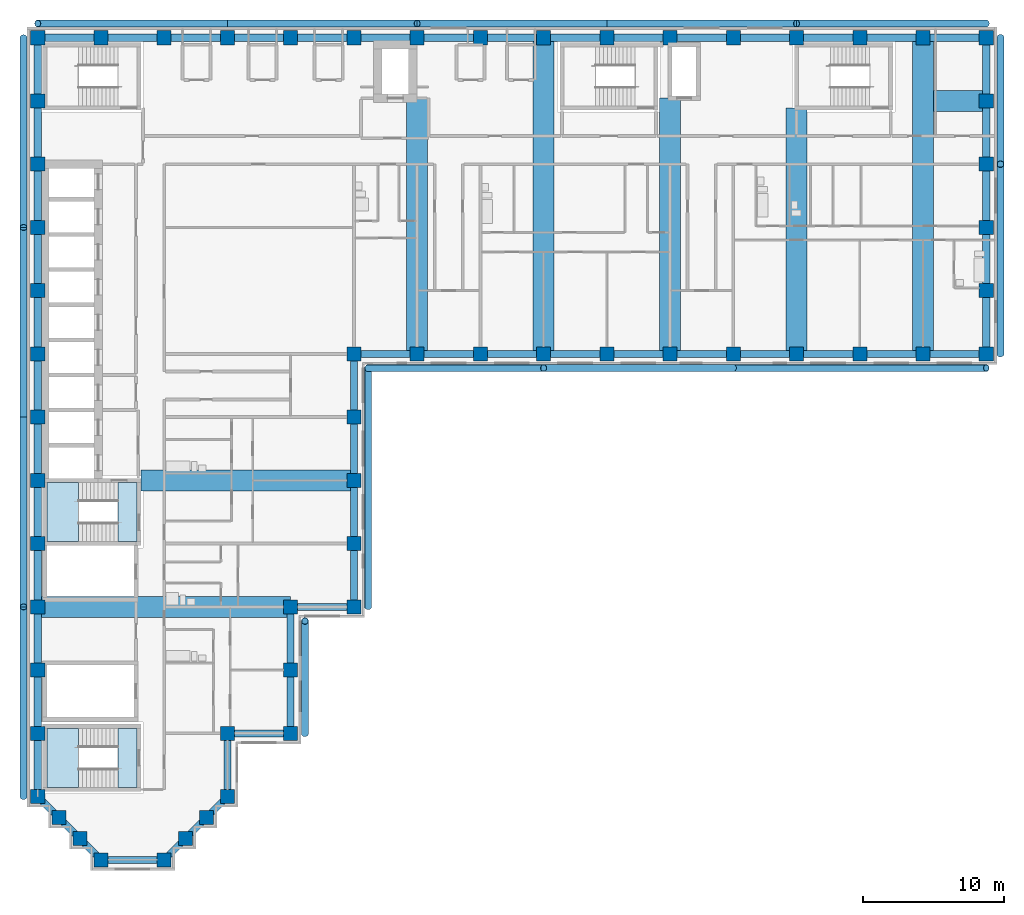
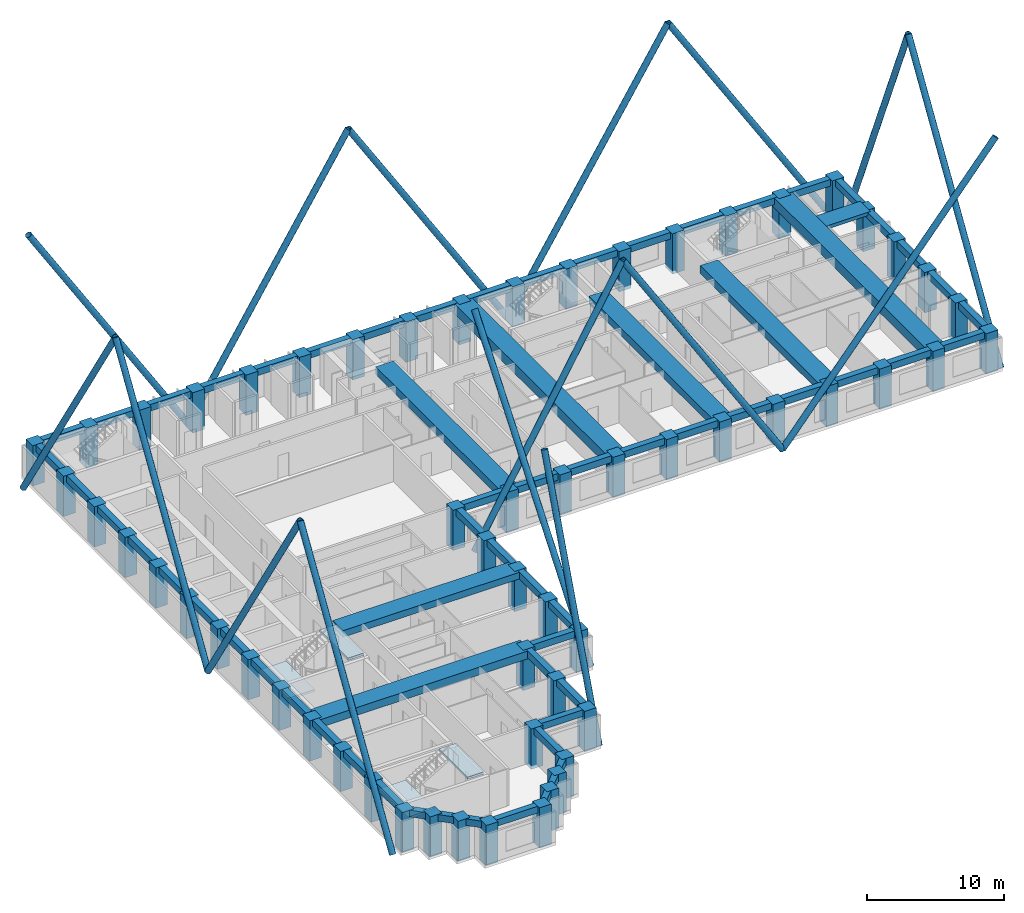
# One storey, part 1 of 13: 66 beams, 58 columns, 16 members, 4 slabs, 2 elements without a shape of their own.
"""IFC4 building model written with IfcOpenShell, lengths in metres."""

from ifc_helpers import new_model, si_unit, direction, frame, origin, origin_2d, place, context, subcontext, project, spatial, polyline, rectangle, hollow_circle, outline, extrude, material, layer, layer_set, material_profile, profile_set, type_object, element, aggregate, save


model = new_model("IFC4")

# Units and contexts
model_context = context("Model", 3, precision=1e-05, world=origin(), true_north=direction((0.0, 1.0)))
body_context = subcontext(model_context, "Body", "Model", "MODEL_VIEW")
ifc_project = project(units=[si_unit("LENGTHUNIT", "METRE"), si_unit("AREAUNIT", "SQUARE_METRE"), si_unit("VOLUMEUNIT", "CUBIC_METRE"), si_unit("PLANEANGLEUNIT", "RADIAN"), si_unit("MASSUNIT", "GRAM", prefix="KILO")], contexts=[model_context])

# Site, building, storey
site_placement = place(None, origin())
site = spatial("IfcSite", under=ifc_project, at=site_placement, CompositionType="ELEMENT")
building_placement = place(site_placement, origin())
building = spatial("IfcBuilding", under=site, at=building_placement, Name="Firuza Court", CompositionType="ELEMENT")
storey_placement = place(building_placement, frame((0.0, 0.0, 141.199951171875)))
storey = spatial("IfcBuildingStorey", under=building, at=storey_placement, Name="L35", CompositionType="ELEMENT", Elevation=141.199951171875)

# Columns
ifc_material_1 = material(Name="Concrete C60/75", Category="concrete")
ifc_material_profile_1 = material_profile(ifc_material_1, rectangle(XDim=1.0, YDim=1.0, at=origin_2d()), Name="RC 1000x1000")
ifc_profile_set_1 = profile_set([ifc_material_profile_1], Name="Concrete C60/75")
column_type = type_object("IfcColumnType", Name="Tube column RC 1000x1000 C60/75", PredefinedType="COLUMN", material=ifc_profile_set_1)
for number, where, z_axis, x_axis, name in (
    (1, (4.5, 0.0, -0.300048828125), (0.0, 0.0, 1.0), (1.0, 0.0, 0.0), "Column C-2D L35"),
    (2, (9.0, 0.0, -0.300048828125), (0.0, 0.0, 1.0), (1.0, 0.0, 0.0), "Column C-3D L35"),
    (3, (3.0, 1.5, -0.300048828125), (0.0, 0.0, 1.0), (1.0, 0.0, 0.0), "Column C-SA1 L35"),
    (4, (10.5, 1.5, -0.300048828125), (0.0, 0.0, 1.0), (1.0, 0.0, 0.0), "Column C-SA2 L35"),
    (5, (1.5, 3.0, -0.300048828125), (0.0, 0.0, 1.0), (1.0, 0.0, 0.0), "Column C-SA3 L35"),
    (6, (12.0, 3.0, -0.300048828125), (0.0, 0.0, 1.0), (1.0, 0.0, 0.0), "Column C-SA4 L35"),
    (7, (0.0, 4.5, -0.300048828125), (0.0, 0.0, 1.0), (1.0, 0.0, 0.0), "Column C-1E L35"),
    (8, (13.5, 4.5, -0.300048828125), (0.0, 0.0, 1.0), (1.0, 0.0, 0.0), "Column C-4E L35"),
    (9, (0.0, 9.0, -0.300048828125), (0.0, 0.0, 1.0), (1.0, 0.0, 0.0), "Column C-1F L35"),
    (10, (13.5, 9.0, -0.300048828125), (0.0, 0.0, 1.0), (1.0, 0.0, 0.0), "Column C-4F L35"),
    (11, (18.0, 9.0, -0.300048828125), (0.0, 0.0, 1.0), (1.0, 0.0, 0.0), "Column C-5F L35"),
    (12, (0.0, 13.5, -0.300048828125), (0.0, 0.0, 1.0), (1.0, 0.0, 0.0), "Column C-1G L35"),
    (13, (18.0, 13.5, -0.300048828125), (0.0, 0.0, 1.0), (1.0, 0.0, 0.0), "Column C-5G L35"),
    (14, (0.0, 18.0, -0.300048828125), (0.0, 0.0, 1.0), (1.0, 0.0, 0.0), "Column C-1H L35"),
    (15, (18.0, 18.0, -0.300048828125), (0.0, 0.0, 1.0), (1.0, 0.0, 0.0), "Column C-5H L35"),
    (16, (22.5, 18.0, -0.300048828125), (0.0, 0.0, 1.0), (1.0, 0.0, 0.0), "Column C-6H L35"),
    (17, (0.0, 22.5, -0.300048828125), (0.0, 0.0, 1.0), (1.0, 0.0, 0.0), "Column C-1J L35"),
    (18, (22.5, 22.5, -0.300048828125), (0.0, 0.0, 1.0), (1.0, 0.0, 0.0), "Column C-6J L35"),
    (19, (0.0, 27.0, -0.300048828125), (0.0, 0.0, 1.0), (1.0, 0.0, 0.0), "Column C-1K L35"),
    (20, (22.5, 27.0, -0.300048828125), (0.0, 0.0, 1.0), (1.0, 0.0, 0.0), "Column C-6K L35"),
    (21, (0.0, 31.5, -0.300048828125), (0.0, 0.0, 1.0), (1.0, 0.0, 0.0), "Column C-1L L35"),
    (22, (22.5, 31.5, -0.300048828125), (0.0, 0.0, 1.0), (1.0, 0.0, 0.0), "Column C-6L L35"),
    (23, (0.0, 36.0, -0.300048828125), (0.0, 0.0, 1.0), (1.0, 0.0, 0.0), "Column C-1M L35"),
    (24, (22.5, 36.0, -0.300048828125), (0.0, 0.0, 1.0), (1.0, 0.0, 0.0), "Column C-6M L35"),
    (25, (27.0, 36.0, -0.300048828125), (0.0, 0.0, 1.0), (1.0, 0.0, 0.0), "Column C-7M L35"),
    (26, (31.5, 36.0, -0.300048828125), (0.0, 0.0, 1.0), (1.0, 0.0, 0.0), "Column C-8M L35"),
    (27, (36.0, 36.0, -0.300048828125), (0.0, 0.0, 1.0), (1.0, 0.0, 0.0), "Column C-9M L35"),
    (28, (40.5, 36.0, -0.300048828125), (0.0, 0.0, 1.0), (1.0, 0.0, 0.0), "Column C-10M L35"),
    (29, (45.0, 36.0, -0.300048828125), (0.0, 0.0, 1.0), (1.0, 0.0, 0.0), "Column C-11M L35"),
    (30, (49.5, 36.0, -0.300048828125), (0.0, 0.0, 1.0), (1.0, 0.0, 0.0), "Column C-12M L35"),
    (31, (54.0, 36.0, -0.300048828125), (0.0, 0.0, 1.0), (1.0, 0.0, 0.0), "Column C-13M L35"),
    (32, (58.5, 36.0, -0.300048828125), (0.0, 0.0, 1.0), (1.0, 0.0, 0.0), "Column C-14M L35"),
    (33, (63.0, 36.0, -0.300048828125), (0.0, 0.0, 1.0), (1.0, 0.0, 0.0), "Column C-15M L35"),
    (34, (67.5, 36.0, -0.300048828125), (0.0, 0.0, 1.0), (1.0, 0.0, 0.0), "Column C-16M L35"),
    (35, (0.0, 40.5, -0.300048828125), (0.0, 0.0, 1.0), (1.0, 0.0, 0.0), "Column C-1N L35"),
    (36, (67.5, 40.5, -0.300048828125), (0.0, 0.0, 1.0), (1.0, 0.0, 0.0), "Column C-16N L35"),
    (37, (0.0, 45.0, -0.300048828125), (0.0, 0.0, 1.0), (1.0, 0.0, 0.0), "Column C-1P L35"),
    (38, (67.5, 45.0, -0.300048828125), (0.0, 0.0, 1.0), (1.0, 0.0, 0.0), "Column C-16P L35"),
    (39, (0.0, 49.5, -0.300048828125), (0.0, 0.0, 1.0), (1.0, 0.0, 0.0), "Column C-1Q L35"),
    (40, (67.5, 49.5, -0.300048828125), (0.0, 0.0, 1.0), (1.0, 0.0, 0.0), "Column C-16Q L35"),
    (41, (0.0, 54.0, -0.300048828125), (0.0, 0.0, 1.0), (1.0, 0.0, 0.0), "Column C-1R L35"),
    (42, (67.5, 54.0, -0.300048828125), (0.0, 0.0, 1.0), (1.0, 0.0, 0.0), "Column C-16R L35"),
    (43, (0.0, 58.5, -0.300048828125), (0.0, 0.0, 1.0), (1.0, 0.0, 0.0), "Column C-1S L35"),
    (44, (4.5, 58.5, -0.300048828125), (0.0, 0.0, 1.0), (1.0, 0.0, 0.0), "Column C-2S L35"),
    (45, (9.0, 58.5, -0.300048828125), (0.0, 0.0, 1.0), (1.0, 0.0, 0.0), "Column C-3S L35"),
    (46, (13.5, 58.5, -0.300048828125), (0.0, 0.0, 1.0), (1.0, 0.0, 0.0), "Column C-4S L35"),
    (47, (18.0, 58.5, -0.300048828125), (0.0, 0.0, 1.0), (1.0, 0.0, 0.0), "Column C-5S L35"),
    (48, (22.5, 58.5, -0.300048828125), (0.0, 0.0, 1.0), (1.0, 0.0, 0.0), "Column C-6S L35"),
    (49, (27.0, 58.5, -0.300048828125), (0.0, 0.0, 1.0), (1.0, 0.0, 0.0), "Column C-7S L35"),
    (50, (31.5, 58.5, -0.300048828125), (0.0, 0.0, 1.0), (1.0, 0.0, 0.0), "Column C-8S L35"),
    (51, (36.0, 58.5, -0.300048828125), (0.0, 0.0, 1.0), (1.0, 0.0, 0.0), "Column C-9S L35"),
    (52, (40.5, 58.5, -0.300048828125), (0.0, 0.0, 1.0), (1.0, 0.0, 0.0), "Column C-10S L35"),
    (53, (45.0, 58.5, -0.300048828125), (0.0, 0.0, 1.0), (1.0, 0.0, 0.0), "Column C-11S L35"),
    (54, (49.5, 58.5, -0.300048828125), (0.0, 0.0, 1.0), (1.0, 0.0, 0.0), "Column C-12S L35"),
    (55, (54.0, 58.5, -0.300048828125), (0.0, 0.0, 1.0), (1.0, 0.0, 0.0), "Column C-13S L35"),
    (56, (58.5, 58.5, -0.300048828125), (0.0, 0.0, 1.0), (1.0, 0.0, 0.0), "Column C-14S L35"),
    (57, (63.0, 58.5, -0.300048828125), (0.0, 0.0, 1.0), (1.0, 0.0, 0.0), "Column C-15S L35"),
    (58, (67.5, 58.5, -0.300048828125), (0.0, 0.0, 1.0), (1.0, 0.0, 0.0), "Column C-16S L35"),
):
    element("IfcColumn", number, at=place(storey_placement, frame(where, z_axis=z_axis, x_axis=x_axis)), inside=storey, type_object=column_type, Name=name, PredefinedType="COLUMN", context=body_context, shape_type="SweptSolid", body=[
        extrude(rectangle(XDim=1.0, YDim=1.0, at=origin_2d()), origin(), (0.0, 0.0, 1.0), 3.60009765625),
    ])

# Beams
ifc_material_2 = material(Name="Concrete C40/50", Category="concrete")
ifc_material_profile_2 = material_profile(ifc_material_2, rectangle(XDim=1.5, YDim=0.300048828125, at=origin_2d()), Name="RC 1500x300")
ifc_profile_set_2 = profile_set([ifc_material_profile_2], Name="Concrete C40/50")
beam_type_1 = type_object("IfcBeamType", Name="Band beam RC 1500x300 C40/50", PredefinedType="BEAM", material=ifc_profile_set_2)
beam_1_placement = place(storey_placement, frame((67.5, 54.0, 3.150146484375), z_axis=(-1.0, 0.0, 0.0), x_axis=(0.0, -1.0, 0.0)))
element("IfcBeam", 59, at=beam_1_placement, inside=storey, type_object=beam_type_1, Name="Band beam FB6 level L36", PredefinedType="BEAM", context=body_context, shape_type="SweptSolid", body=[
    extrude(rectangle(XDim=1.5, YDim=0.300048828125, at=origin_2d()), origin(), (0.0, 0.0, 1.0), 3.75),
])
ifc_material_3 = material(Name="Concrete C40/50", Category="concrete")
ifc_material_profile_3 = material_profile(ifc_material_3, rectangle(XDim=1.5, YDim=0.60009765625, at=origin_2d()), Name="RC 1500x600")
ifc_profile_set_3 = profile_set([ifc_material_profile_3], Name="Concrete C40/50")
beam_type_2 = type_object("IfcBeamType", Name="Band beam RC 1500x600 C40/50", PredefinedType="BEAM", material=ifc_profile_set_3)
beam_2_placement = place(storey_placement, frame((22.5, 27.0, 3.0), z_axis=(-1.0, 0.0, 0.0), x_axis=(0.0, -1.0, 0.0)))
element("IfcBeam", 60, at=beam_2_placement, inside=storey, type_object=beam_type_2, Name="Band beam FB3 level L36", PredefinedType="BEAM", context=body_context, shape_type="SweptSolid", body=[
    extrude(rectangle(XDim=1.5, YDim=0.60009765625, at=origin_2d()), origin(), (0.0, 0.0, 1.0), 15.14990234375),
])
ifc_material_4 = material(Name="Concrete C40/50", Category="concrete")
ifc_material_profile_4 = material_profile(ifc_material_4, rectangle(XDim=1.5, YDim=0.699951171875, at=origin_2d()), Name="RC 1500x700")
ifc_profile_set_4 = profile_set([ifc_material_profile_4], Name="Concrete C40/50")
beam_type_3 = type_object("IfcBeamType", Name="Band beam RC 1500x700 C40/50", PredefinedType="BEAM", material=ifc_profile_set_4)
beam_3_placement = place(storey_placement, frame((0.0, 18.0, 2.949951171875), z_axis=(1.0, 0.0, 0.0), x_axis=(0.0, 1.0, 0.0)))
element("IfcBeam", 61, at=beam_3_placement, inside=storey, type_object=beam_type_3, Name="Band beam FB1 level L36", PredefinedType="BEAM", context=body_context, shape_type="SweptSolid", body=[
    extrude(rectangle(XDim=1.5, YDim=0.699951171875, at=origin_2d()), origin(), (0.0, 0.0, 1.0), 18.0),
])
for number, where, z_axis, x_axis, name in (
    (62, (27.0, 36.0, 2.949951171875), (0.0, 1.0, 0.0), (-1.0, 0.0, 0.0), "Band beam FB1 level L36"),
    (63, (45.0, 36.0, 2.949951171875), (0.0, 1.0, 0.0), (-1.0, 0.0, 0.0), "Band beam FB1 level L36"),
):
    element("IfcBeam", number, at=place(storey_placement, frame(where, z_axis=z_axis, x_axis=x_axis)), inside=storey, type_object=beam_type_3, Name=name, PredefinedType="BEAM", context=body_context, shape_type="SweptSolid", body=[
        extrude(rectangle(XDim=1.5, YDim=0.699951171875, at=origin_2d()), origin(), (0.0, 0.0, 1.0), 18.199951171875),
    ])
beam_4_placement = place(storey_placement, frame((54.0, 36.0, 2.949951171875), z_axis=(0.0, 1.0, 0.0), x_axis=(-1.0, 0.0, 0.0)))
element("IfcBeam", 64, at=beam_4_placement, inside=storey, type_object=beam_type_3, Name="Band beam FB1 level L36", PredefinedType="BEAM", context=body_context, shape_type="SweptSolid", body=[
    extrude(rectangle(XDim=1.5, YDim=0.699951171875, at=origin_2d()), origin(), (0.0, 0.0, 1.0), 17.5),
])
ifc_material_5 = material(Name="Concrete C40/50", Category="concrete")
ifc_material_profile_5 = material_profile(ifc_material_5, rectangle(XDim=1.5, YDim=0.89990234375, at=origin_2d()), Name="RC 1500x900")
ifc_profile_set_5 = profile_set([ifc_material_profile_5], Name="Concrete C40/50")
beam_type_4 = type_object("IfcBeamType", Name="Band beam RC 1500x900 C40/50", PredefinedType="BEAM", material=ifc_profile_set_5)
for number, where, z_axis, x_axis, name in (
    (65, (36.0, 36.0, 2.85009765625), (0.0, 1.0, 0.0), (-1.0, 0.0, 0.0), "Band beam FB2 level L36"),
    (66, (63.0, 36.0, 2.85009765625), (0.0, 1.0, 0.0), (-1.0, 0.0, 0.0), "Band beam FB2 level L36"),
):
    element("IfcBeam", number, at=place(storey_placement, frame(where, z_axis=z_axis, x_axis=x_axis)), inside=storey, type_object=beam_type_4, Name=name, PredefinedType="BEAM", context=body_context, shape_type="SweptSolid", body=[
        extrude(rectangle(XDim=1.5, YDim=0.89990234375, at=origin_2d()), origin(), (0.0, 0.0, 1.0), 22.5),
    ])

# Members
ifc_material_6 = material(Name="Steel S355", Category="steel")
ifc_material_profile_6 = material_profile(ifc_material_6, hollow_circle(Radius=0.25390625, WallThickness=0.02001953125, at=origin_2d()), Name="CHS 508x20")
ifc_profile_set_6 = profile_set([ifc_material_profile_6], Name="Steel S355")
member_type = type_object("IfcMemberType", Name="Diagrid diagonal CHS 508x20 S355", PredefinedType="USERDEFINED", material=ifc_profile_set_6)
member_1_placement = place(storey_placement, frame((19.009033203125, 9.0, -0.550048828125), z_axis=(0.0, 0.34696804181, 0.937876952464), x_axis=(-1.0, 0.0, 0.0)))
element("IfcMember", 67, at=member_1_placement, inside=storey, type_object=member_type, Name="Diagrid diagonal L35 to L41", ObjectType="DIAGRID", PredefinedType="USERDEFINED", context=body_context, shape_type="SweptSolid", body=[
    extrude(hollow_circle(Radius=0.25390625, WallThickness=0.02001953125, at=origin_2d()), origin(), (0.0, 0.0, 1.0), 23.03076171875),
])
member_2_placement = place(storey_placement, frame((23.509033203125, 18.0, -0.550048828125), z_axis=(0.0, 0.618259306388, 0.785974191729), x_axis=(-1.0, 0.0, 0.0)))
element("IfcMember", 68, at=member_2_placement, inside=storey, type_object=member_type, Name="Diagrid diagonal L35 to L41", ObjectType="DIAGRID", PredefinedType="USERDEFINED", context=body_context, shape_type="SweptSolid", body=[
    extrude(hollow_circle(Radius=0.25390625, WallThickness=0.02001953125, at=origin_2d()), origin(), (0.0, 0.0, 1.0), 27.48193359375),
])
member_3_placement = place(storey_placement, frame((23.509033203125, 34.990966796875, -0.550048828125), z_axis=(0.500605385091, 0.0, 0.865675602301), x_axis=(0.0, 1.0, 0.0)))
element("IfcMember", 69, at=member_3_placement, inside=storey, type_object=member_type, Name="Diagrid diagonal L35 to L41", ObjectType="DIAGRID", PredefinedType="USERDEFINED", context=body_context, shape_type="SweptSolid", body=[
    extrude(hollow_circle(Radius=0.25390625, WallThickness=0.02001953125, at=origin_2d()), origin(), (0.0, 0.0, 1.0), 24.95166015625),
])
member_4_placement = place(storey_placement, frame((49.5, 34.990966796875, -0.550048828125), z_axis=(-0.529997216905, 0.0, 0.847999380939), x_axis=(0.0, -1.0, 0.0)))
element("IfcMember", 70, at=member_4_placement, inside=storey, type_object=member_type, Name="Diagrid diagonal L35 to L41", ObjectType="DIAGRID", PredefinedType="USERDEFINED", context=body_context, shape_type="SweptSolid", body=[
    extrude(hollow_circle(Radius=0.25390625, WallThickness=0.02001953125, at=origin_2d()), origin(), (0.0, 0.0, 1.0), 25.471923828125),
])
member_5_placement = place(storey_placement, frame((49.5, 34.990966796875, -0.550048828125), z_axis=(0.640182691525, 0.0, 0.768222703044), x_axis=(0.0, 1.0, 0.0)))
element("IfcMember", 71, at=member_5_placement, inside=storey, type_object=member_type, Name="Diagrid diagonal L35 to L41", ObjectType="DIAGRID", PredefinedType="USERDEFINED", context=body_context, shape_type="SweptSolid", body=[
    extrude(hollow_circle(Radius=0.25390625, WallThickness=0.02001953125, at=origin_2d()), origin(), (0.0, 0.0, 1.0), 28.116943359375),
])
member_6_placement = place(storey_placement, frame((68.509033203125, 36.0, -0.550048828125), z_axis=(0.0, 0.529997216905, 0.847999380939), x_axis=(-1.0, 0.0, 0.0)))
element("IfcMember", 72, at=member_6_placement, inside=storey, type_object=member_type, Name="Diagrid diagonal L35 to L41", ObjectType="DIAGRID", PredefinedType="USERDEFINED", context=body_context, shape_type="SweptSolid", body=[
    extrude(hollow_circle(Radius=0.25390625, WallThickness=0.02001953125, at=origin_2d()), origin(), (0.0, 0.0, 1.0), 25.471923828125),
])
member_7_placement = place(storey_placement, frame((68.509033203125, 58.5, -0.550048828125), z_axis=(0.0, -0.38461390296, 0.923077540432), x_axis=(1.0, 0.0, 0.0)))
element("IfcMember", 73, at=member_7_placement, inside=storey, type_object=member_type, Name="Diagrid diagonal L35 to L41", ObjectType="DIAGRID", PredefinedType="USERDEFINED", context=body_context, shape_type="SweptSolid", body=[
    extrude(hollow_circle(Radius=0.25390625, WallThickness=0.02001953125, at=origin_2d()), origin(), (0.0, 0.0, 1.0), 23.400146484375),
])
for number, where, z_axis, x_axis, name in (
    (74, (67.5, 59.509033203125, -0.550048828125), (-0.529997216905, 0.0, 0.847999380939), (0.0, -1.0, 0.0), "Diagrid diagonal L35 to L41"),
    (75, (40.5, 59.509033203125, -0.550048828125), (0.529997216905, 0.0, 0.847999380939), (0.0, 1.0, 0.0), "Diagrid diagonal L35 to L41"),
    (76, (40.5, 59.509033203125, -0.550048828125), (-0.529997216905, 0.0, 0.847999380939), (0.0, -1.0, 0.0), "Diagrid diagonal L35 to L41"),
    (77, (13.5, 59.509033203125, -0.550048828125), (0.529997216905, 0.0, 0.847999380939), (0.0, 1.0, 0.0), "Diagrid diagonal L35 to L41"),
    (78, (13.5, 59.509033203125, -0.550048828125), (-0.529997216905, 0.0, 0.847999380939), (0.0, -1.0, 0.0), "Diagrid diagonal L35 to L41"),
    (79, (-1.009033203125, 58.5, -0.550048828125), (0.0, -0.529997216905, 0.847999380939), (1.0, 0.0, 0.0), "Diagrid diagonal L35 to L41"),
    (80, (-1.009033203125, 31.5, -0.550048828125), (0.0, 0.529997216905, 0.847999380939), (-1.0, 0.0, 0.0), "Diagrid diagonal L35 to L41"),
    (81, (-1.009033203125, 31.5, -0.550048828125), (0.0, -0.529997216905, 0.847999380939), (1.0, 0.0, 0.0), "Diagrid diagonal L35 to L41"),
    (82, (-1.009033203125, 4.5, -0.550048828125), (0.0, 0.529997216905, 0.847999380939), (-1.0, 0.0, 0.0), "Diagrid diagonal L35 to L41"),
):
    element("IfcMember", number, at=place(storey_placement, frame(where, z_axis=z_axis, x_axis=x_axis)), inside=storey, type_object=member_type, Name=name, ObjectType="DIAGRID", PredefinedType="USERDEFINED", context=body_context, shape_type="SweptSolid", body=[
        extrude(hollow_circle(Radius=0.25390625, WallThickness=0.02001953125, at=origin_2d()), origin(), (0.0, 0.0, 1.0), 25.471923828125),
    ])

# Beams
ifc_material_7 = material(Name="Concrete C40/50", Category="concrete")
ifc_material_profile_7 = material_profile(ifc_material_7, rectangle(XDim=0.5, YDim=0.60009765625, at=origin_2d()), Name="RC 500x600")
ifc_profile_set_7 = profile_set([ifc_material_profile_7], Name="Concrete C40/50")
beam_type_5 = type_object("IfcBeamType", Name="Spandrel beam RC 500x600 C40/50", PredefinedType="BEAM", material=ifc_profile_set_7)
beam_5_placement = place(storey_placement, frame((0.0, 4.5, 3.0), z_axis=(0.707106781187, -0.707106781187, 0.0), x_axis=(0.707106781187, 0.707106781187, 0.0)))
element("IfcBeam", 83, at=beam_5_placement, inside=storey, type_object=beam_type_5, Name="Spandrel beam SP13 level L36", PredefinedType="BEAM", context=body_context, shape_type="SweptSolid", body=[
    extrude(rectangle(XDim=0.5, YDim=0.60009765625, at=origin_2d()), origin(), (0.0, 0.0, 1.0), 2.121337890625),
])
for number, where, z_axis, x_axis, name in (
    (84, (0.0, 9.0, 3.0), (0.0, -1.0, 0.0), (1.0, 0.0, 0.0), "Spandrel beam SP13 level L36"),
    (85, (0.0, 13.5, 3.0), (0.0, -1.0, 0.0), (1.0, 0.0, 0.0), "Spandrel beam SP13 level L36"),
    (86, (0.0, 18.0, 3.0), (0.0, -1.0, 0.0), (1.0, 0.0, 0.0), "Spandrel beam SP13 level L36"),
    (87, (0.0, 22.5, 3.0), (0.0, -1.0, 0.0), (1.0, 0.0, 0.0), "Spandrel beam SP13 level L36"),
    (88, (0.0, 27.0, 3.0), (0.0, -1.0, 0.0), (1.0, 0.0, 0.0), "Spandrel beam SP13 level L36"),
    (89, (0.0, 31.5, 3.0), (0.0, -1.0, 0.0), (1.0, 0.0, 0.0), "Spandrel beam SP13 level L36"),
    (90, (0.0, 36.0, 3.0), (0.0, -1.0, 0.0), (1.0, 0.0, 0.0), "Spandrel beam SP13 level L36"),
    (91, (0.0, 40.5, 3.0), (0.0, -1.0, 0.0), (1.0, 0.0, 0.0), "Spandrel beam SP13 level L36"),
    (92, (0.0, 45.0, 3.0), (0.0, -1.0, 0.0), (1.0, 0.0, 0.0), "Spandrel beam SP13 level L36"),
    (93, (0.0, 49.5, 3.0), (0.0, -1.0, 0.0), (1.0, 0.0, 0.0), "Spandrel beam SP13 level L36"),
    (94, (0.0, 54.0, 3.0), (0.0, -1.0, 0.0), (1.0, 0.0, 0.0), "Spandrel beam SP13 level L36"),
    (95, (0.0, 58.5, 3.0), (0.0, -1.0, 0.0), (1.0, 0.0, 0.0), "Spandrel beam SP13 level L36"),
):
    element("IfcBeam", number, at=place(storey_placement, frame(where, z_axis=z_axis, x_axis=x_axis)), inside=storey, type_object=beam_type_5, Name=name, PredefinedType="BEAM", context=body_context, shape_type="SweptSolid", body=[
        extrude(rectangle(XDim=0.5, YDim=0.60009765625, at=origin_2d()), origin(), (0.0, 0.0, 1.0), 4.5),
    ])
for number, where, z_axis, x_axis, name in (
    (96, (1.5, 3.0, 3.0), (0.707106781187, -0.707106781187, 0.0), (0.707106781187, 0.707106781187, 0.0), "Spandrel beam SP13 level L36"),
    (97, (3.0, 1.5, 3.0), (0.707106781187, -0.707106781187, 0.0), (0.707106781187, 0.707106781187, 0.0), "Spandrel beam SP13 level L36"),
):
    element("IfcBeam", number, at=place(storey_placement, frame(where, z_axis=z_axis, x_axis=x_axis)), inside=storey, type_object=beam_type_5, Name=name, PredefinedType="BEAM", context=body_context, shape_type="SweptSolid", body=[
        extrude(rectangle(XDim=0.5, YDim=0.60009765625, at=origin_2d()), origin(), (0.0, 0.0, 1.0), 2.121337890625),
    ])
for number, where, z_axis, x_axis, name in (
    (98, (4.5, 0.0, 3.0), (1.0, 0.0, 0.0), (0.0, 1.0, 0.0), "Spandrel beam SP13 level L36"),
    (99, (4.5, 58.5, 3.0), (-1.0, 0.0, 0.0), (0.0, -1.0, 0.0), "Spandrel beam SP13 level L36"),
):
    element("IfcBeam", number, at=place(storey_placement, frame(where, z_axis=z_axis, x_axis=x_axis)), inside=storey, type_object=beam_type_5, Name=name, PredefinedType="BEAM", context=body_context, shape_type="SweptSolid", body=[
        extrude(rectangle(XDim=0.5, YDim=0.60009765625, at=origin_2d()), origin(), (0.0, 0.0, 1.0), 4.5),
    ])
beam_6_placement = place(storey_placement, frame((9.0, 0.0, 3.0), z_axis=(0.707106781187, 0.707106781187, 0.0), x_axis=(-0.707106781187, 0.707106781187, 0.0)))
element("IfcBeam", 100, at=beam_6_placement, inside=storey, type_object=beam_type_5, Name="Spandrel beam SP13 level L36", PredefinedType="BEAM", context=body_context, shape_type="SweptSolid", body=[
    extrude(rectangle(XDim=0.5, YDim=0.60009765625, at=origin_2d()), origin(), (0.0, 0.0, 1.0), 2.121337890625),
])
beam_7_placement = place(storey_placement, frame((9.0, 58.5, 3.0), z_axis=(-1.0, 0.0, 0.0), x_axis=(0.0, -1.0, 0.0)))
element("IfcBeam", 101, at=beam_7_placement, inside=storey, type_object=beam_type_5, Name="Spandrel beam SP13 level L36", PredefinedType="BEAM", context=body_context, shape_type="SweptSolid", body=[
    extrude(rectangle(XDim=0.5, YDim=0.60009765625, at=origin_2d()), origin(), (0.0, 0.0, 1.0), 4.5),
])
for number, where, z_axis, x_axis, name in (
    (102, (10.5, 1.5, 3.0), (0.707106781187, 0.707106781187, 0.0), (-0.707106781187, 0.707106781187, 0.0), "Spandrel beam SP13 level L36"),
    (103, (12.0, 3.0, 3.0), (0.707106781187, 0.707106781187, 0.0), (-0.707106781187, 0.707106781187, 0.0), "Spandrel beam SP13 level L36"),
):
    element("IfcBeam", number, at=place(storey_placement, frame(where, z_axis=z_axis, x_axis=x_axis)), inside=storey, type_object=beam_type_5, Name=name, PredefinedType="BEAM", context=body_context, shape_type="SweptSolid", body=[
        extrude(rectangle(XDim=0.5, YDim=0.60009765625, at=origin_2d()), origin(), (0.0, 0.0, 1.0), 2.121337890625),
    ])
for number, where, z_axis, x_axis, name in (
    (104, (13.5, 4.5, 3.0), (0.0, 1.0, 0.0), (-1.0, 0.0, 0.0), "Spandrel beam SP13 level L36"),
    (105, (13.5, 9.0, 3.0), (1.0, 0.0, 0.0), (0.0, 1.0, 0.0), "Spandrel beam SP13 level L36"),
    (106, (13.5, 58.5, 3.0), (-1.0, 0.0, 0.0), (0.0, -1.0, 0.0), "Spandrel beam SP13 level L36"),
    (107, (18.0, 9.0, 3.0), (0.0, 1.0, 0.0), (-1.0, 0.0, 0.0), "Spandrel beam SP13 level L36"),
    (108, (18.0, 13.5, 3.0), (0.0, 1.0, 0.0), (-1.0, 0.0, 0.0), "Spandrel beam SP13 level L36"),
    (109, (18.0, 18.0, 3.0), (1.0, 0.0, 0.0), (0.0, 1.0, 0.0), "Spandrel beam SP13 level L36"),
    (110, (18.0, 58.5, 3.0), (-1.0, 0.0, 0.0), (0.0, -1.0, 0.0), "Spandrel beam SP13 level L36"),
    (111, (22.5, 18.0, 3.0), (0.0, 1.0, 0.0), (-1.0, 0.0, 0.0), "Spandrel beam SP13 level L36"),
    (112, (22.5, 22.5, 3.0), (0.0, 1.0, 0.0), (-1.0, 0.0, 0.0), "Spandrel beam SP13 level L36"),
    (113, (22.5, 27.0, 3.0), (0.0, 1.0, 0.0), (-1.0, 0.0, 0.0), "Spandrel beam SP13 level L36"),
    (114, (22.5, 31.5, 3.0), (0.0, 1.0, 0.0), (-1.0, 0.0, 0.0), "Spandrel beam SP13 level L36"),
    (115, (22.5, 36.0, 3.0), (1.0, 0.0, 0.0), (0.0, 1.0, 0.0), "Spandrel beam SP13 level L36"),
    (116, (22.5, 58.5, 3.0), (-1.0, 0.0, 0.0), (0.0, -1.0, 0.0), "Spandrel beam SP13 level L36"),
    (117, (27.0, 36.0, 3.0), (1.0, 0.0, 0.0), (0.0, 1.0, 0.0), "Spandrel beam SP13 level L36"),
    (118, (27.0, 58.5, 3.0), (-1.0, 0.0, 0.0), (0.0, -1.0, 0.0), "Spandrel beam SP13 level L36"),
    (119, (31.5, 36.0, 3.0), (1.0, 0.0, 0.0), (0.0, 1.0, 0.0), "Spandrel beam SP13 level L36"),
    (120, (31.5, 58.5, 3.0), (-1.0, 0.0, 0.0), (0.0, -1.0, 0.0), "Spandrel beam SP13 level L36"),
    (121, (36.0, 36.0, 3.0), (1.0, 0.0, 0.0), (0.0, 1.0, 0.0), "Spandrel beam SP13 level L36"),
    (122, (36.0, 58.5, 3.0), (-1.0, 0.0, 0.0), (0.0, -1.0, 0.0), "Spandrel beam SP13 level L36"),
    (123, (40.5, 36.0, 3.0), (1.0, 0.0, 0.0), (0.0, 1.0, 0.0), "Spandrel beam SP13 level L36"),
    (124, (40.5, 58.5, 3.0), (-1.0, 0.0, 0.0), (0.0, -1.0, 0.0), "Spandrel beam SP13 level L36"),
    (125, (45.0, 36.0, 3.0), (1.0, 0.0, 0.0), (0.0, 1.0, 0.0), "Spandrel beam SP13 level L36"),
    (126, (45.0, 58.5, 3.0), (-1.0, 0.0, 0.0), (0.0, -1.0, 0.0), "Spandrel beam SP13 level L36"),
    (127, (49.5, 36.0, 3.0), (1.0, 0.0, 0.0), (0.0, 1.0, 0.0), "Spandrel beam SP13 level L36"),
    (128, (49.5, 58.5, 3.0), (-1.0, 0.0, 0.0), (0.0, -1.0, 0.0), "Spandrel beam SP13 level L36"),
    (129, (54.0, 36.0, 3.0), (1.0, 0.0, 0.0), (0.0, 1.0, 0.0), "Spandrel beam SP13 level L36"),
    (130, (54.0, 58.5, 3.0), (-1.0, 0.0, 0.0), (0.0, -1.0, 0.0), "Spandrel beam SP13 level L36"),
    (131, (58.5, 36.0, 3.0), (1.0, 0.0, 0.0), (0.0, 1.0, 0.0), "Spandrel beam SP13 level L36"),
    (132, (58.5, 58.5, 3.0), (-1.0, 0.0, 0.0), (0.0, -1.0, 0.0), "Spandrel beam SP13 level L36"),
    (133, (63.0, 36.0, 3.0), (1.0, 0.0, 0.0), (0.0, 1.0, 0.0), "Spandrel beam SP13 level L36"),
    (134, (63.0, 58.5, 3.0), (-1.0, 0.0, 0.0), (0.0, -1.0, 0.0), "Spandrel beam SP13 level L36"),
    (135, (67.5, 36.0, 3.0), (0.0, 1.0, 0.0), (-1.0, 0.0, 0.0), "Spandrel beam SP13 level L36"),
    (136, (67.5, 40.5, 3.0), (0.0, 1.0, 0.0), (-1.0, 0.0, 0.0), "Spandrel beam SP13 level L36"),
    (137, (67.5, 45.0, 3.0), (0.0, 1.0, 0.0), (-1.0, 0.0, 0.0), "Spandrel beam SP13 level L36"),
    (138, (67.5, 49.5, 3.0), (0.0, 1.0, 0.0), (-1.0, 0.0, 0.0), "Spandrel beam SP13 level L36"),
    (139, (67.5, 54.0, 3.0), (0.0, 1.0, 0.0), (-1.0, 0.0, 0.0), "Spandrel beam SP13 level L36"),
    (140, (67.5, 58.5, 3.0), (-1.0, 0.0, 0.0), (0.0, -1.0, 0.0), "Spandrel beam SP13 level L36"),
):
    element("IfcBeam", number, at=place(storey_placement, frame(where, z_axis=z_axis, x_axis=x_axis)), inside=storey, type_object=beam_type_5, Name=name, PredefinedType="BEAM", context=body_context, shape_type="SweptSolid", body=[
        extrude(rectangle(XDim=0.5, YDim=0.60009765625, at=origin_2d()), origin(), (0.0, 0.0, 1.0), 4.5),
    ])

# Stair, slabs
ifc_material_8 = material(Name="Concrete C40/50 precast", Category="concrete")
stair_type = type_object("IfcStairType", Name="Stair 1350 x 3600 2 flights", PredefinedType="HALF_TURN_STAIR", material=ifc_material_8)
stair_1_placement = place(storey_placement, origin())
stair_1 = element("IfcStair", 141, at=stair_1_placement, inside=storey, type_object=stair_type, Name="Stair 2 L35", PredefinedType="HALF_TURN_STAIR")
ifc_material_9 = material(Name="Concrete C40/50 precast", Category="concrete")
ifc_layer = layer(ifc_material_9, 0.199951171875)
ifc_layer_set = layer_set([ifc_layer], Name="Concrete C40/50 precast")
slab_type = type_object("IfcSlabType", Name="Stair landing 200", PredefinedType="LANDING", material=ifc_layer_set)
slab_1_placement = place(storey_placement, frame((0.0, 0.0, 1.60009765625)))
slab_1 = element("IfcSlab", 142, at=slab_1_placement, type_object=slab_type, Name="S2 landing 1", PredefinedType="LANDING", context=body_context, shape_type="SweptSolid", body=[
    extrude(outline(polyline([(2.89990234375, 22.64990234375), (2.89990234375, 26.85009765625), (0.64990234375, 26.85009765625), (0.64990234375, 22.64990234375), (2.89990234375, 22.64990234375)])), origin(), (0.0, 0.0, 1.0), 0.199951171875),
])
slab_2_placement = place(storey_placement, frame((0.0, 0.0, 3.400146484375)))
slab_2 = element("IfcSlab", 143, at=slab_2_placement, type_object=slab_type, Name="S2 landing 2", PredefinedType="LANDING", context=body_context, shape_type="SweptSolid", body=[
    extrude(outline(polyline([(7.050048828125, 22.64990234375), (7.050048828125, 26.85009765625), (5.699951171875, 26.85009765625), (5.699951171875, 22.64990234375), (7.050048828125, 22.64990234375)])), origin(), (0.0, 0.0, 1.0), 0.199951171875),
])
aggregate(stair_1, [slab_1, slab_2])

stair_2_placement = place(storey_placement, origin())
stair_2 = element("IfcStair", 144, at=stair_2_placement, inside=storey, type_object=stair_type, Name="Stair 5 L35", PredefinedType="HALF_TURN_STAIR")
slab_3_placement = place(storey_placement, frame((0.0, 0.0, 1.60009765625)))
slab_3 = element("IfcSlab", 145, at=slab_3_placement, type_object=slab_type, Name="S5 landing 1", PredefinedType="LANDING", context=body_context, shape_type="SweptSolid", body=[
    extrude(outline(polyline([(2.89990234375, 5.14990234375), (2.89990234375, 9.35009765625), (0.64990234375, 9.35009765625), (0.64990234375, 5.14990234375), (2.89990234375, 5.14990234375)])), origin(), (0.0, 0.0, 1.0), 0.199951171875),
])
slab_4_placement = place(storey_placement, frame((0.0, 0.0, 3.400146484375)))
slab_4 = element("IfcSlab", 146, at=slab_4_placement, type_object=slab_type, Name="S5 landing 2", PredefinedType="LANDING", context=body_context, shape_type="SweptSolid", body=[
    extrude(outline(polyline([(7.050048828125, 5.14990234375), (7.050048828125, 9.35009765625), (5.699951171875, 9.35009765625), (5.699951171875, 5.14990234375), (7.050048828125, 5.14990234375)])), origin(), (0.0, 0.0, 1.0), 0.199951171875),
])
aggregate(stair_2, [slab_3, slab_4])

save(model, "model.ifc")
